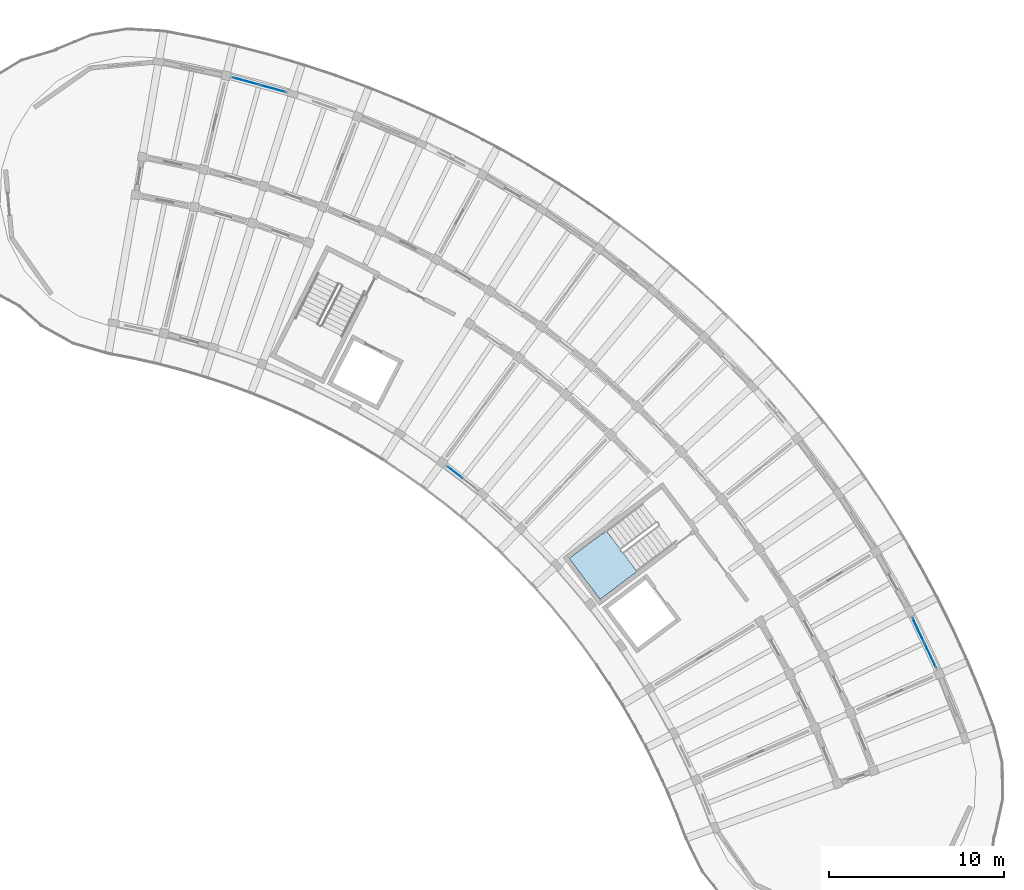
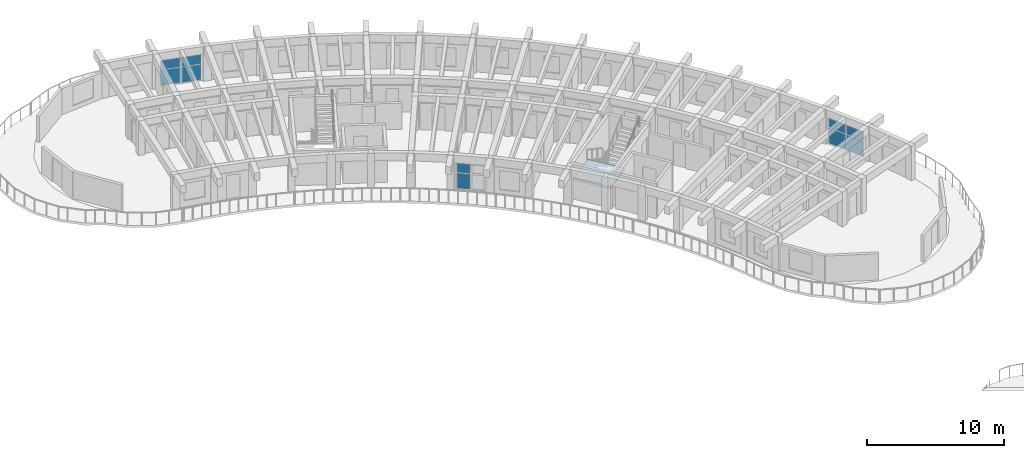
# One storey, part 40 of 83: 10 plates, 1 slab, 4 elements without a shape of their own.
"""IFC4 building model written with IfcOpenShell, lengths in metres."""

from ifc_helpers import new_model, si_unit, direction, frame, origin, origin_2d, place, context, subcontext, project, spatial, polyline, rectangle, outline, extrude, material, layer, layer_set, type_object, element, aggregate, save


model = new_model("IFC4")

# Units and contexts
model_context = context("Model", 3, precision=1e-05, world=origin(), true_north=direction((0.0, 1.0)))
body_context = subcontext(model_context, "Body", "Model", "MODEL_VIEW")
ifc_project = project(units=[si_unit("LENGTHUNIT", "METRE"), si_unit("AREAUNIT", "SQUARE_METRE"), si_unit("VOLUMEUNIT", "CUBIC_METRE"), si_unit("PLANEANGLEUNIT", "RADIAN"), si_unit("MASSUNIT", "GRAM", prefix="KILO")], contexts=[model_context])

# Site, building, storey
site_placement = place(None, origin())
site = spatial("IfcSite", under=ifc_project, at=site_placement, CompositionType="ELEMENT")
building_placement = place(site_placement, origin())
building = spatial("IfcBuilding", under=site, at=building_placement, Name="Tanwirah Colonnade Gardens", CompositionType="ELEMENT")
storey_placement = place(building_placement, frame((0.0, 0.0, 25.639892578125)))
storey = spatial("IfcBuildingStorey", under=building, at=storey_placement, Name="L07", CompositionType="ELEMENT", Elevation=25.639892578125)

# Curtain wall, plates
ifc_material_1 = material(Name="Bronze-anodised aluminium and solar-control low-E glass", Category="aluminium")
curtain_wall_type_1 = type_object("IfcCurtainWallType", Name="CW-LOB", PredefinedType="NOTDEFINED", material=ifc_material_1)
curtain_wall_1_placement = place(storey_placement, origin())
curtain_wall_1 = element("IfcCurtainWall", 1, at=curtain_wall_1_placement, inside=storey, type_object=curtain_wall_type_1, Name="Curtain Wall CW-B-L07-OUT-02", PredefinedType="NOTDEFINED")
ifc_material_2 = material(Name="Acoustic solar-control low-E double glazing", Category="glass")
ifc_layer_1 = layer(ifc_material_2, 0.031982421875)
ifc_layer_set_1 = layer_set([ifc_layer_1], Name="Acoustic solar-control low-E double glazing")
plate_type = type_object("IfcPlateType", Name="CWP-GLZ32", PredefinedType="CURTAIN_PANEL", material=ifc_layer_set_1)
plate_1_placement = place(storey_placement, frame((175.081298828125, 85.06298828125, 0.070068359375), z_axis=(0.0, 0.0, 1.0), x_axis=(-0.429635439138, 0.903002430471, 0.0)))
plate_1 = element("IfcPlate", 2, at=plate_1_placement, type_object=plate_type, Name="CW-LOB panel 1.1", PredefinedType="CURTAIN_PANEL", context=body_context, shape_type="SweptSolid", body=[
    extrude(rectangle(XDim=1.497802734375, YDim=0.031982421875, at=origin_2d()), origin(), (0.0, 0.0, 1.0), 1.35498046875),
])
plate_2_placement = place(storey_placement, frame((175.081298828125, 85.06298828125, 1.4951171875), z_axis=(0.0, 0.0, 1.0), x_axis=(-0.429635439138, 0.903002430471, 0.0)))
plate_2 = element("IfcPlate", 3, at=plate_2_placement, type_object=plate_type, Name="CW-LOB panel 1.2", PredefinedType="CURTAIN_PANEL", context=body_context, shape_type="SweptSolid", body=[
    extrude(rectangle(XDim=1.497802734375, YDim=0.031982421875, at=origin_2d()), origin(), (0.0, 0.0, 1.0), 0.789794921875),
])
plate_3_placement = place(storey_placement, frame((174.40771484375, 86.478759765625, 0.070068359375), z_axis=(0.0, 0.0, 1.0), x_axis=(-0.429635439138, 0.903002430471, 0.0)))
plate_3 = element("IfcPlate", 4, at=plate_3_placement, type_object=plate_type, Name="CW-LOB panel 2.1", PredefinedType="CURTAIN_PANEL", context=body_context, shape_type="SweptSolid", body=[
    extrude(rectangle(XDim=1.497802734375, YDim=0.031982421875, at=origin_2d()), origin(), (0.0, 0.0, 1.0), 1.35498046875),
])
plate_4_placement = place(storey_placement, frame((174.40771484375, 86.478759765625, 1.4951171875), z_axis=(0.0, 0.0, 1.0), x_axis=(-0.429635439138, 0.903002430471, 0.0)))
plate_4 = element("IfcPlate", 5, at=plate_4_placement, type_object=plate_type, Name="CW-LOB panel 2.2", PredefinedType="CURTAIN_PANEL", context=body_context, shape_type="SweptSolid", body=[
    extrude(rectangle(XDim=1.497802734375, YDim=0.031982421875, at=origin_2d()), origin(), (0.0, 0.0, 1.0), 0.789794921875),
])
aggregate(curtain_wall_1, [plate_1, plate_2, plate_3, plate_4])

curtain_wall_type_2 = type_object("IfcCurtainWallType", Name="CW-GDN", PredefinedType="NOTDEFINED", material=ifc_material_1)
curtain_wall_2_placement = place(storey_placement, origin())
curtain_wall_2 = element("IfcCurtainWall", 6, at=curtain_wall_2_placement, inside=storey, type_object=curtain_wall_type_2, Name="Curtain Wall CW-B-L07-IN-09", PredefinedType="NOTDEFINED")
plate_5_placement = place(storey_placement, frame((147.998046875, 95.485107421875, 0.070068359375), z_axis=(0.0, 0.0, 1.0), x_axis=(-0.786815291166, 0.617188542982, 0.0)))
plate_5 = element("IfcPlate", 7, at=plate_5_placement, type_object=plate_type, Name="CW-GDN panel 2.1", PredefinedType="CURTAIN_PANEL", context=body_context, shape_type="SweptSolid", body=[
    extrude(rectangle(XDim=1.000244140625, YDim=0.031982421875, at=origin_2d()), origin(), (0.0, 0.0, 1.0), 1.35498046875),
])
plate_6_placement = place(storey_placement, frame((147.998046875, 95.485107421875, 1.4951171875), z_axis=(0.0, 0.0, 1.0), x_axis=(-0.786815291166, 0.617188542982, 0.0)))
plate_6 = element("IfcPlate", 8, at=plate_6_placement, type_object=plate_type, Name="CW-GDN panel 2.2", PredefinedType="CURTAIN_PANEL", context=body_context, shape_type="SweptSolid", body=[
    extrude(rectangle(XDim=1.000244140625, YDim=0.031982421875, at=origin_2d()), origin(), (0.0, 0.0, 1.0), 0.789794921875),
])
aggregate(curtain_wall_2, [plate_5, plate_6])

curtain_wall_3_placement = place(storey_placement, origin())
curtain_wall_3 = element("IfcCurtainWall", 9, at=curtain_wall_3_placement, inside=storey, type_object=curtain_wall_type_1, Name="Curtain Wall CW-B-L07-OUT-15", PredefinedType="NOTDEFINED")
plate_7_placement = place(storey_placement, frame((137.60546875, 117.359619140625, 0.070068359375), z_axis=(0.0, 0.0, 1.0), x_axis=(-0.963888944764, 0.266304528994, 0.0)))
plate_7 = element("IfcPlate", 10, at=plate_7_placement, type_object=plate_type, Name="CW-LOB panel 1.1", PredefinedType="CURTAIN_PANEL", context=body_context, shape_type="SweptSolid", body=[
    extrude(rectangle(XDim=1.497802734375, YDim=0.031982421875, at=origin_2d()), origin(), (0.0, 0.0, 1.0), 1.35498046875),
])
plate_8_placement = place(storey_placement, frame((137.60546875, 117.359619140625, 1.4951171875), z_axis=(0.0, 0.0, 1.0), x_axis=(-0.963888944764, 0.266304528994, 0.0)))
plate_8 = element("IfcPlate", 11, at=plate_8_placement, type_object=plate_type, Name="CW-LOB panel 1.2", PredefinedType="CURTAIN_PANEL", context=body_context, shape_type="SweptSolid", body=[
    extrude(rectangle(XDim=1.497802734375, YDim=0.031982421875, at=origin_2d()), origin(), (0.0, 0.0, 1.0), 0.789794921875),
])
plate_9_placement = place(storey_placement, frame((136.09423828125, 117.777099609375, 0.070068359375), z_axis=(0.0, 0.0, 1.0), x_axis=(-0.963888944764, 0.266304528994, 0.0)))
plate_9 = element("IfcPlate", 12, at=plate_9_placement, type_object=plate_type, Name="CW-LOB panel 2.1", PredefinedType="CURTAIN_PANEL", context=body_context, shape_type="SweptSolid", body=[
    extrude(rectangle(XDim=1.497802734375, YDim=0.031982421875, at=origin_2d()), origin(), (0.0, 0.0, 1.0), 1.35498046875),
])
plate_10_placement = place(storey_placement, frame((136.09423828125, 117.777099609375, 1.4951171875), z_axis=(0.0, 0.0, 1.0), x_axis=(-0.963888944764, 0.266304528994, 0.0)))
plate_10 = element("IfcPlate", 13, at=plate_10_placement, type_object=plate_type, Name="CW-LOB panel 2.2", PredefinedType="CURTAIN_PANEL", context=body_context, shape_type="SweptSolid", body=[
    extrude(rectangle(XDim=1.497802734375, YDim=0.031982421875, at=origin_2d()), origin(), (0.0, 0.0, 1.0), 0.789794921875),
])
aggregate(curtain_wall_3, [plate_7, plate_8, plate_9, plate_10])

# Stair, slab
ifc_material_3 = material(Name="Precast concrete C40/50", Category="concrete")
stair_type = type_object("IfcStairType", Name="ST-RES168", PredefinedType="HALF_TURN_STAIR", material=ifc_material_3)
stair_placement = place(storey_placement, origin())
stair = element("IfcStair", 14, at=stair_placement, inside=storey, type_object=stair_type, Name="L07 Block B Core 1 Exit Stair", PredefinedType="HALF_TURN_STAIR")
ifc_layer_2 = layer(ifc_material_3, 0.205078125)
ifc_layer_set_2 = layer_set([ifc_layer_2], Name="Precast concrete C40/50")
slab_type = type_object("IfcSlabType", Name="SL-LND-205", PredefinedType="LANDING", material=ifc_layer_set_2)
slab_placement = place(storey_placement, frame((0.0, 0.0, 1.47509765625)))
slab = element("IfcSlab", 15, at=slab_placement, type_object=slab_type, Name="ST-B1 landing 1", PredefinedType="LANDING", context=body_context, shape_type="SweptSolid", body=[
    extrude(outline(polyline([(156.615478515625, 92.171875), (154.510986328125, 90.586181640625), (156.268310546875, 88.254150390625), (158.372802734375, 89.83984375), (156.615478515625, 92.171875)])), origin(), (0.0, 0.0, 1.0), 0.205078125),
])
aggregate(stair, [slab])

save(model, "model.ifc")
